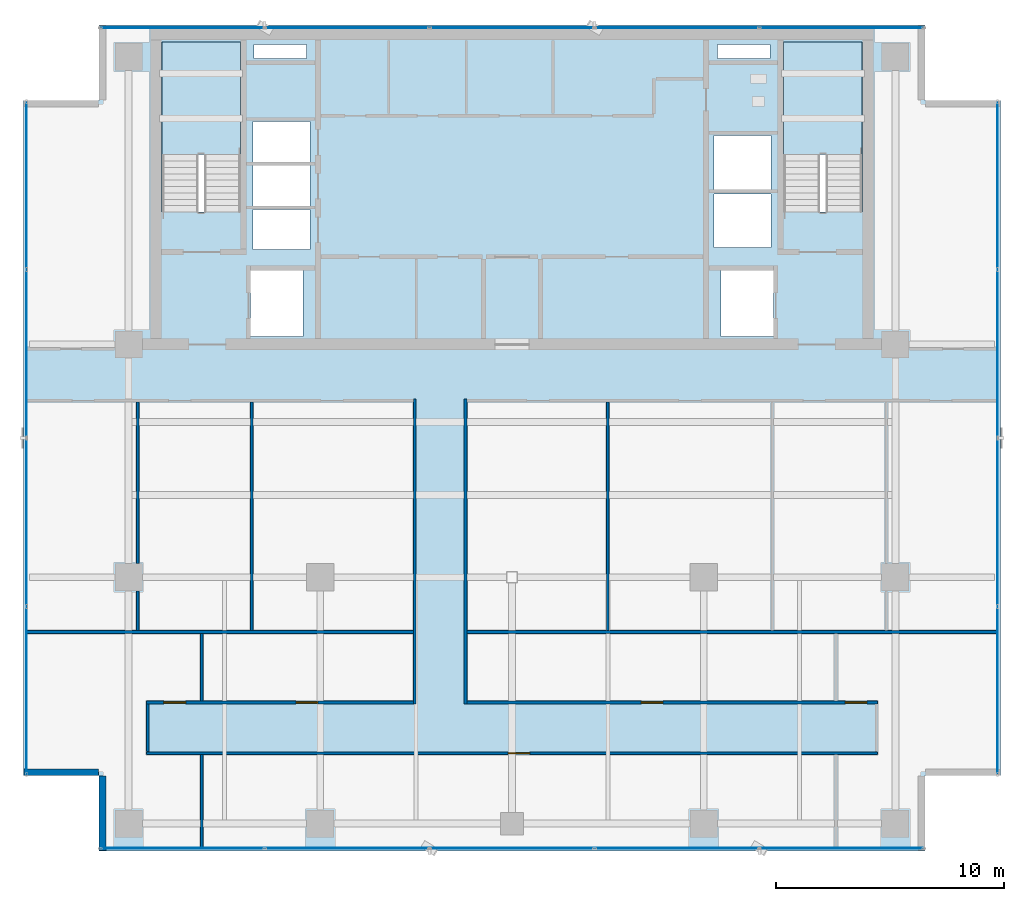
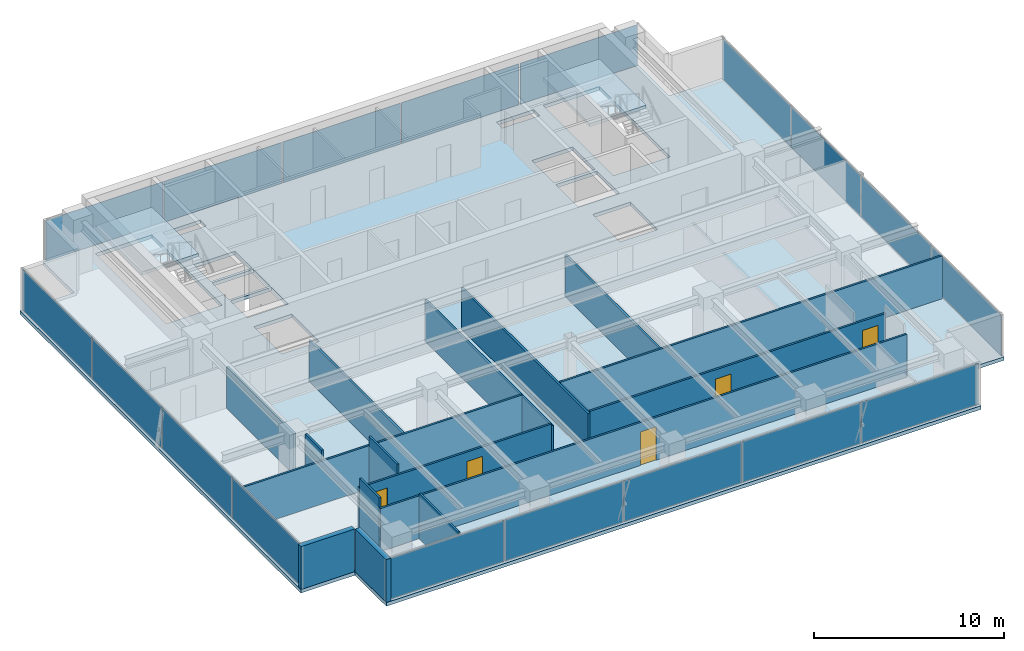
# One storey, part 15 of 23: 18 plates, 16 walls, 5 doors, 3 slabs, 5 openings, 6 elements without a shape of their own.
"""IFC4 building model written with IfcOpenShell, lengths in metres."""

from ifc_helpers import new_model, si_unit, direction, frame, frame_2d, origin, origin_2d, place, context, subcontext, project, spatial, polyline, rectangle, outline, extrude, source, transform, mapped, material, layer, layer_set, type_object, element, fill, aggregate, save


model = new_model("IFC4")

# Units and contexts
model_context = context("Model", 3, precision=1e-05, world=origin(), true_north=direction((0.0, 1.0)))
body_context = subcontext(model_context, "Body", "Model", "MODEL_VIEW")
ifc_project = project(units=[si_unit("LENGTHUNIT", "METRE"), si_unit("AREAUNIT", "SQUARE_METRE"), si_unit("VOLUMEUNIT", "CUBIC_METRE"), si_unit("PLANEANGLEUNIT", "RADIAN"), si_unit("MASSUNIT", "GRAM", prefix="KILO")], contexts=[model_context])

# Site, building, storey
site_placement = place(None, origin())
site = spatial("IfcSite", under=ifc_project, at=site_placement, CompositionType="ELEMENT")
building_placement = place(site_placement, origin())
building = spatial("IfcBuilding", under=site, at=building_placement, Name="Sumidabori Civic Tower", CompositionType="ELEMENT")
storey_placement = place(building_placement, frame((0.0, 0.0, 275.60009765625)))
storey = spatial("IfcBuildingStorey", under=building, at=storey_placement, Name="L72", CompositionType="ELEMENT", Elevation=275.60009765625)

# Stair, slab
ifc_material_1 = material(Name="Concrete C40/50", Category="concrete")
stair_type = type_object("IfcStairType", Name="ST-CORE-1600", PredefinedType="HALF_TURN_STAIR", material=ifc_material_1)
stair_1_placement = place(storey_placement, origin())
stair_1 = element("IfcStair", 1, at=stair_1_placement, inside=storey, type_object=stair_type, Name="L72 ST-1", PredefinedType="HALF_TURN_STAIR")
ifc_layer_1 = layer(ifc_material_1, 0.199951171875, Name="Concrete C40/50")
ifc_layer_set_1 = layer_set([ifc_layer_1], Name="Concrete C40/50")
slab_type_1 = type_object("IfcSlabType", Name="SL-LAND-200", PredefinedType="LANDING", material=ifc_layer_set_1)
slab_1_placement = place(storey_placement, frame((0.0, 0.0, 1.599853515625)))
slab_1 = element("IfcSlab", 2, at=slab_1_placement, type_object=slab_type_1, Name="ST-1 landing 1", PredefinedType="LANDING", context=body_context, shape_type="SweptSolid", body=[
    extrude(outline(polyline([(-11.89990234375, 18.52001953125), (-11.89990234375, 23.449951171875), (-15.340087890625, 23.449951171875), (-15.340087890625, 18.52001953125), (-11.89990234375, 18.52001953125)])), origin(), (0.0, 0.0, 1.0), 0.199951171875),
])
aggregate(stair_1, [slab_1])

stair_2_placement = place(storey_placement, origin())
stair_2 = element("IfcStair", 3, at=stair_2_placement, inside=storey, type_object=stair_type, Name="L72 ST-2", PredefinedType="HALF_TURN_STAIR")
slab_2_placement = place(storey_placement, frame((0.0, 0.0, 1.599853515625)))
slab_2 = element("IfcSlab", 4, at=slab_2_placement, type_object=slab_type_1, Name="ST-2 landing 1", PredefinedType="LANDING", context=body_context, shape_type="SweptSolid", body=[
    extrude(outline(polyline([(15.340087890625, 18.52001953125), (15.340087890625, 23.449951171875), (11.89990234375, 23.449951171875), (11.89990234375, 18.52001953125), (15.340087890625, 18.52001953125)])), origin(), (0.0, 0.0, 1.0), 0.199951171875),
])
aggregate(stair_2, [slab_2])

# Slab
ifc_layer_2 = layer(ifc_material_1, 0.22998046875, Name="Concrete C40/50")
ifc_layer_set_2 = layer_set([ifc_layer_2], Name="Concrete C40/50")
slab_type_2 = type_object("IfcSlabType", Name="SL-Z4-230", PredefinedType="FLOOR", material=ifc_layer_set_2)
slab_3_placement = place(storey_placement, frame((0.0, 0.0, -0.22998046875)))
element("IfcSlab", 5, at=slab_3_placement, inside=storey, type_object=slab_type_2, Name="Structural Slab L72", PredefinedType="FLOOR", context=body_context, shape_type="SweptSolid", body=[
    extrude(outline(polyline([(-18.10009765625, -12.0), (18.10009765625, -12.0), (18.10009765625, -8.699951171875), (21.39990234375, -8.699951171875), (21.39990234375, 20.89990234375), (18.10009765625, 20.89990234375), (18.10009765625, 24.199951171875), (-18.10009765625, 24.199951171875), (-18.10009765625, 20.89990234375), (-21.39990234375, 20.89990234375), (-21.39990234375, -8.699951171875), (-18.10009765625, -8.699951171875), (-18.10009765625, -12.0)]), holes=[polyline([(-11.89990234375, 16.0), (-11.89990234375, 23.449951171875), (-15.340087890625, 23.449951171875), (-15.340087890625, 16.0), (-11.89990234375, 16.0)]), polyline([(15.340087890625, 16.0), (15.340087890625, 23.449951171875), (11.89990234375, 23.449951171875), (11.89990234375, 16.0), (15.340087890625, 16.0)]), polyline([(-11.449951171875, 10.550048828125), (-9.14990234375, 10.550048828125), (-9.14990234375, 13.449951171875), (-11.449951171875, 13.449951171875), (-11.449951171875, 10.550048828125)]), polyline([(9.14990234375, 10.550048828125), (11.449951171875, 10.550048828125), (11.449951171875, 13.449951171875), (9.14990234375, 13.449951171875), (9.14990234375, 10.550048828125)]), polyline([(-11.35009765625, 14.35009765625), (-8.85009765625, 14.35009765625), (-8.85009765625, 16.1201171875), (-11.35009765625, 16.1201171875), (-11.35009765625, 14.35009765625)]), polyline([(-11.35009765625, 16.27001953125), (-8.85009765625, 16.27001953125), (-8.85009765625, 18.0400390625), (-11.35009765625, 18.0400390625), (-11.35009765625, 16.27001953125)]), polyline([(-11.35009765625, 18.18994140625), (-8.85009765625, 18.18994140625), (-8.85009765625, 19.9599609375), (-11.35009765625, 19.9599609375), (-11.35009765625, 18.18994140625)]), polyline([(8.85009765625, 14.449951171875), (11.35009765625, 14.449951171875), (11.35009765625, 16.800048828125), (8.85009765625, 16.800048828125), (8.85009765625, 14.449951171875)]), polyline([(8.85009765625, 17.0), (11.35009765625, 17.0), (11.35009765625, 19.35009765625), (8.85009765625, 19.35009765625), (8.85009765625, 17.0)]), polyline([(-11.300048828125, 22.719970703125), (-9.0, 22.719970703125), (-9.0, 23.35009765625), (-11.300048828125, 23.35009765625), (-11.300048828125, 22.719970703125)]), polyline([(9.0, 22.719970703125), (11.300048828125, 22.719970703125), (11.300048828125, 23.35009765625), (9.0, 23.35009765625), (9.0, 22.719970703125)])]), origin(), (0.0, 0.0, 1.0), 0.22998046875),
])

# Curtain wall, plates
ifc_material_2 = material(Name="Anodised Bronze Aluminium AW-6063-T6", Category="aluminium")
ifc_layer_3 = layer(ifc_material_2, 0.179931640625, Name="Anodised Bronze Aluminium AW-6063-T6")
ifc_layer_set_3 = layer_set([ifc_layer_3], Name="Anodised Bronze Aluminium AW-6063-T6")
curtain_wall_type = type_object("IfcCurtainWallType", Name="CW-SYS-6", PredefinedType="NOTDEFINED", material=ifc_layer_set_3)
curtain_wall_1_placement = place(storey_placement, origin())
curtain_wall_1 = element("IfcCurtainWall", 6, at=curtain_wall_1_placement, inside=storey, type_object=curtain_wall_type, Name="Curtain Wall CW:L72:R01", PredefinedType="NOTDEFINED")
ifc_material_3 = material(Name="Bronze-Tinted Laminated Crown Glazing", Category="glass")
ifc_layer_4 = layer(ifc_material_3, 0.033935546875, Name="Bronze-Tinted Laminated Crown Glazing")
ifc_layer_set_4 = layer_set([ifc_layer_4], Name="Bronze-Tinted Laminated Crown Glazing")
plate_type = type_object("IfcPlateType", Name="CW-PNL-CRN", PredefinedType="CURTAIN_PANEL", material=ifc_layer_set_4)
shared_shape_1 = source(origin(), body_context, "Body", "SweptSolid", [
    extrude(rectangle(XDim=7.123046875, YDim=0.033935546875, at=origin_2d()), origin(), (0.0, 0.0, 1.0), 2.6201171875),
])
plate_1_placement = place(storey_placement, frame((-14.4384765625, -11.8798828125, 0.06494140625), z_axis=(0.0, 0.0, 1.0), x_axis=(1.0, 0.0, 0.0)))
plate_1 = element("IfcPlate", 7, at=plate_1_placement, type_object=plate_type, Name="CW-6 panel 1.1", PredefinedType="CURTAIN_PANEL", context=body_context, shape_type="MappedRepresentation", body=[
    mapped(shared_shape_1, transform((0.0, 0.0, 0.0), x_axis=(1.0, 0.0, 0.0), y_axis=(0.0, 1.0, 0.0), z_axis=(0.0, 0.0, 1.0), scale=1.0)),
])
plate_2_placement = place(storey_placement, frame((14.4384765625, -11.8798828125, 0.06494140625), z_axis=(0.0, 0.0, 1.0), x_axis=(1.0, 0.0, 0.0)))
plate_2 = element("IfcPlate", 8, at=plate_2_placement, type_object=plate_type, Name="CW-6 panel 5.1", PredefinedType="CURTAIN_PANEL", context=body_context, shape_type="MappedRepresentation", body=[
    mapped(shared_shape_1, transform((0.0, 0.0, 0.0), x_axis=(1.0, 0.0, 0.0), y_axis=(0.0, 1.0, 0.0), z_axis=(0.0, 0.0, 1.0), scale=1.0)),
])

curtain_wall_2_placement = place(storey_placement, origin())
curtain_wall_2 = element("IfcCurtainWall", 9, at=curtain_wall_2_placement, inside=storey, type_object=curtain_wall_type, Name="Curtain Wall CW:L72:R07", PredefinedType="NOTDEFINED")
plate_3_placement = place(storey_placement, frame((14.4384765625, 24.080078125, 0.06494140625), z_axis=(0.0, 0.0, 1.0), x_axis=(-1.0, 0.0, 0.0)))
plate_3 = element("IfcPlate", 10, at=plate_3_placement, type_object=plate_type, Name="CW-6 panel 1.1", PredefinedType="CURTAIN_PANEL", context=body_context, shape_type="MappedRepresentation", body=[
    mapped(shared_shape_1, transform((0.0, 0.0, 0.0), x_axis=(1.0, 0.0, 0.0), y_axis=(0.0, 1.0, 0.0), z_axis=(0.0, 0.0, 1.0), scale=1.0)),
])
plate_4_placement = place(storey_placement, frame((-14.4384765625, 24.080078125, 0.06494140625), z_axis=(0.0, 0.0, 1.0), x_axis=(-1.0, 0.0, 0.0)))
plate_4 = element("IfcPlate", 11, at=plate_4_placement, type_object=plate_type, Name="CW-6 panel 5.1", PredefinedType="CURTAIN_PANEL", context=body_context, shape_type="MappedRepresentation", body=[
    mapped(shared_shape_1, transform((0.0, 0.0, 0.0), x_axis=(1.0, 0.0, 0.0), y_axis=(0.0, 1.0, 0.0), z_axis=(0.0, 0.0, 1.0), scale=1.0)),
])

# Plate
shared_shape_2 = source(origin(), body_context, "Body", "SweptSolid", [
    extrude(rectangle(XDim=7.157958984375, YDim=0.033935546875, at=origin_2d()), origin(), (0.0, 0.0, 1.0), 2.6201171875),
])
plate_5_placement = place(storey_placement, frame((-7.22802734375, -11.8798828125, 0.06494140625), z_axis=(0.0, 0.0, 1.0), x_axis=(1.0, 0.0, 0.0)))
plate_5 = element("IfcPlate", 12, at=plate_5_placement, type_object=plate_type, Name="CW-6 panel 2.1", PredefinedType="CURTAIN_PANEL", context=body_context, shape_type="MappedRepresentation", body=[
    mapped(shared_shape_2, transform((0.0, 0.0, 0.0), x_axis=(1.0, 0.0, 0.0), y_axis=(0.0, 1.0, 0.0), z_axis=(0.0, 0.0, 1.0), scale=1.0)),
])

plate_6_placement = place(storey_placement, frame((0.0, -11.8798828125, 0.06494140625), z_axis=(0.0, 0.0, 1.0), x_axis=(1.0, 0.0, 0.0)))
plate_6 = element("IfcPlate", 13, at=plate_6_placement, type_object=plate_type, Name="CW-6 panel 3.1", PredefinedType="CURTAIN_PANEL", context=body_context, shape_type="MappedRepresentation", body=[
    mapped(shared_shape_2, transform((0.0, 0.0, 0.0), x_axis=(1.0, 0.0, 0.0), y_axis=(0.0, 1.0, 0.0), z_axis=(0.0, 0.0, 1.0), scale=1.0)),
])

plate_7_placement = place(storey_placement, frame((7.22802734375, -11.8798828125, 0.06494140625), z_axis=(0.0, 0.0, 1.0), x_axis=(1.0, 0.0, 0.0)))
plate_7 = element("IfcPlate", 14, at=plate_7_placement, type_object=plate_type, Name="CW-6 panel 4.1", PredefinedType="CURTAIN_PANEL", context=body_context, shape_type="MappedRepresentation", body=[
    mapped(shared_shape_2, transform((0.0, 0.0, 0.0), x_axis=(1.0, 0.0, 0.0), y_axis=(0.0, 1.0, 0.0), z_axis=(0.0, 0.0, 1.0), scale=1.0)),
])

aggregate(curtain_wall_1, [plate_1, plate_5, plate_6, plate_7, plate_2])

plate_8_placement = place(storey_placement, frame((7.22802734375, 24.080078125, 0.06494140625), z_axis=(0.0, 0.0, 1.0), x_axis=(-1.0, 0.0, 0.0)))
plate_8 = element("IfcPlate", 15, at=plate_8_placement, type_object=plate_type, Name="CW-6 panel 2.1", PredefinedType="CURTAIN_PANEL", context=body_context, shape_type="MappedRepresentation", body=[
    mapped(shared_shape_2, transform((0.0, 0.0, 0.0), x_axis=(1.0, 0.0, 0.0), y_axis=(0.0, 1.0, 0.0), z_axis=(0.0, 0.0, 1.0), scale=1.0)),
])

plate_9_placement = place(storey_placement, frame((0.0, 24.080078125, 0.06494140625), z_axis=(0.0, 0.0, 1.0), x_axis=(-1.0, 0.0, 0.0)))
plate_9 = element("IfcPlate", 16, at=plate_9_placement, type_object=plate_type, Name="CW-6 panel 3.1", PredefinedType="CURTAIN_PANEL", context=body_context, shape_type="MappedRepresentation", body=[
    mapped(shared_shape_2, transform((0.0, 0.0, 0.0), x_axis=(1.0, 0.0, 0.0), y_axis=(0.0, 1.0, 0.0), z_axis=(0.0, 0.0, 1.0), scale=1.0)),
])

plate_10_placement = place(storey_placement, frame((-7.22802734375, 24.080078125, 0.06494140625), z_axis=(0.0, 0.0, 1.0), x_axis=(-1.0, 0.0, 0.0)))
plate_10 = element("IfcPlate", 17, at=plate_10_placement, type_object=plate_type, Name="CW-6 panel 4.1", PredefinedType="CURTAIN_PANEL", context=body_context, shape_type="MappedRepresentation", body=[
    mapped(shared_shape_2, transform((0.0, 0.0, 0.0), x_axis=(1.0, 0.0, 0.0), y_axis=(0.0, 1.0, 0.0), z_axis=(0.0, 0.0, 1.0), scale=1.0)),
])

aggregate(curtain_wall_2, [plate_3, plate_8, plate_9, plate_10, plate_4])

# Curtain wall, plates
curtain_wall_3_placement = place(storey_placement, origin())
curtain_wall_3 = element("IfcCurtainWall", 18, at=curtain_wall_3_placement, inside=storey, type_object=curtain_wall_type, Name="Curtain Wall CW:L72:R04", PredefinedType="NOTDEFINED")
shared_shape_3 = source(origin(), body_context, "Body", "SweptSolid", [
    extrude(rectangle(XDim=7.280029296875, YDim=0.033935546875, at=origin_2d()), origin(), (0.0, 0.0, 1.0), 2.6201171875),
])
plate_11_placement = place(storey_placement, frame((21.280029296875, -4.9599609375, 0.06494140625), z_axis=(0.0, 0.0, 1.0), x_axis=(0.0, 1.0, 0.0)))
plate_11 = element("IfcPlate", 19, at=plate_11_placement, type_object=plate_type, Name="CW-6 panel 1.1", PredefinedType="CURTAIN_PANEL", context=body_context, shape_type="MappedRepresentation", body=[
    mapped(shared_shape_3, transform((0.0, 0.0, 0.0), x_axis=(1.0, 0.0, 0.0), y_axis=(0.0, 1.0, 0.0), z_axis=(0.0, 0.0, 1.0), scale=1.0)),
])
plate_12_placement = place(storey_placement, frame((21.280029296875, 17.159912109375, 0.06494140625), z_axis=(0.0, 0.0, 1.0), x_axis=(0.0, 1.0, 0.0)))
plate_12 = element("IfcPlate", 20, at=plate_12_placement, type_object=plate_type, Name="CW-6 panel 4.1", PredefinedType="CURTAIN_PANEL", context=body_context, shape_type="MappedRepresentation", body=[
    mapped(shared_shape_3, transform((0.0, 0.0, 0.0), x_axis=(1.0, 0.0, 0.0), y_axis=(0.0, 1.0, 0.0), z_axis=(0.0, 0.0, 1.0), scale=1.0)),
])

curtain_wall_4_placement = place(storey_placement, origin())
curtain_wall_4 = element("IfcCurtainWall", 21, at=curtain_wall_4_placement, inside=storey, type_object=curtain_wall_type, Name="Curtain Wall CW:L72:R10", PredefinedType="NOTDEFINED")
plate_13_placement = place(storey_placement, frame((-21.280029296875, 17.159912109375, 0.06494140625), z_axis=(0.0, 0.0, 1.0), x_axis=(0.0, -1.0, 0.0)))
plate_13 = element("IfcPlate", 22, at=plate_13_placement, type_object=plate_type, Name="CW-6 panel 1.1", PredefinedType="CURTAIN_PANEL", context=body_context, shape_type="MappedRepresentation", body=[
    mapped(shared_shape_3, transform((0.0, 0.0, 0.0), x_axis=(1.0, 0.0, 0.0), y_axis=(0.0, 1.0, 0.0), z_axis=(0.0, 0.0, 1.0), scale=1.0)),
])
plate_14_placement = place(storey_placement, frame((-21.280029296875, -4.9599609375, 0.06494140625), z_axis=(0.0, 0.0, 1.0), x_axis=(0.0, -1.0, 0.0)))
plate_14 = element("IfcPlate", 23, at=plate_14_placement, type_object=plate_type, Name="CW-6 panel 4.1", PredefinedType="CURTAIN_PANEL", context=body_context, shape_type="MappedRepresentation", body=[
    mapped(shared_shape_3, transform((0.0, 0.0, 0.0), x_axis=(1.0, 0.0, 0.0), y_axis=(0.0, 1.0, 0.0), z_axis=(0.0, 0.0, 1.0), scale=1.0)),
])

# Plate
shared_shape_4 = source(origin(), body_context, "Body", "SweptSolid", [
    extrude(rectangle(XDim=7.31494140625, YDim=0.033935546875, at=origin_2d()), origin(), (0.0, 0.0, 1.0), 2.6201171875),
])
plate_15_placement = place(storey_placement, frame((21.280029296875, 2.407470703125, 0.06494140625), z_axis=(0.0, 0.0, 1.0), x_axis=(0.0, 1.0, 0.0)))
plate_15 = element("IfcPlate", 24, at=plate_15_placement, type_object=plate_type, Name="CW-6 panel 2.1", PredefinedType="CURTAIN_PANEL", context=body_context, shape_type="MappedRepresentation", body=[
    mapped(shared_shape_4, transform((0.0, 0.0, 0.0), x_axis=(1.0, 0.0, 0.0), y_axis=(0.0, 1.0, 0.0), z_axis=(0.0, 0.0, 1.0), scale=1.0)),
])

plate_16_placement = place(storey_placement, frame((21.280029296875, 9.79248046875, 0.06494140625), z_axis=(0.0, 0.0, 1.0), x_axis=(0.0, 1.0, 0.0)))
plate_16 = element("IfcPlate", 25, at=plate_16_placement, type_object=plate_type, Name="CW-6 panel 3.1", PredefinedType="CURTAIN_PANEL", context=body_context, shape_type="MappedRepresentation", body=[
    mapped(shared_shape_4, transform((0.0, 0.0, 0.0), x_axis=(1.0, 0.0, 0.0), y_axis=(0.0, 1.0, 0.0), z_axis=(0.0, 0.0, 1.0), scale=1.0)),
])

aggregate(curtain_wall_3, [plate_11, plate_15, plate_16, plate_12])

plate_17_placement = place(storey_placement, frame((-21.280029296875, 9.79248046875, 0.06494140625), z_axis=(0.0, 0.0, 1.0), x_axis=(0.0, -1.0, 0.0)))
plate_17 = element("IfcPlate", 26, at=plate_17_placement, type_object=plate_type, Name="CW-6 panel 2.1", PredefinedType="CURTAIN_PANEL", context=body_context, shape_type="MappedRepresentation", body=[
    mapped(shared_shape_4, transform((0.0, 0.0, 0.0), x_axis=(1.0, 0.0, 0.0), y_axis=(0.0, 1.0, 0.0), z_axis=(0.0, 0.0, 1.0), scale=1.0)),
])

plate_18_placement = place(storey_placement, frame((-21.280029296875, 2.407470703125, 0.06494140625), z_axis=(0.0, 0.0, 1.0), x_axis=(0.0, -1.0, 0.0)))
plate_18 = element("IfcPlate", 27, at=plate_18_placement, type_object=plate_type, Name="CW-6 panel 3.1", PredefinedType="CURTAIN_PANEL", context=body_context, shape_type="MappedRepresentation", body=[
    mapped(shared_shape_4, transform((0.0, 0.0, 0.0), x_axis=(1.0, 0.0, 0.0), y_axis=(0.0, 1.0, 0.0), z_axis=(0.0, 0.0, 1.0), scale=1.0)),
])

aggregate(curtain_wall_4, [plate_13, plate_17, plate_18, plate_14])

# Walls
ifc_material_4 = material(Name="Precast concrete C40/50", Category="concrete")
ifc_layer_5 = layer(ifc_material_4, 0.300048828125, Name="Precast concrete C40/50")
ifc_layer_set_5 = layer_set([ifc_layer_5], Name="Precast concrete C40/50")
wall_type_1 = type_object("IfcWallType", Name="WL-EXT-POD300", PredefinedType="STANDARD", material=ifc_layer_set_5)
shared_shape_5 = source(origin(), body_context, "Body", "SweptSolid", [
    extrude(rectangle(XDim=3.260009765625, YDim=0.300048828125, at=frame_2d((1.6298828125, 0.0))), origin(), (0.0, 0.0, 1.0), 2.75),
])
wall_1_placement = place(storey_placement, frame((-17.949951171875, -8.719970703125, 0.0), z_axis=(0.0, 0.0, 1.0), x_axis=(0.0, -1.0, 0.0)))
element("IfcWall", 28, at=wall_1_placement, inside=storey, type_object=wall_type_1, Name="Notched Corner Spandrel Band L72-12", PredefinedType="STANDARD", context=body_context, shape_type="MappedRepresentation", body=[
    mapped(shared_shape_5, transform((0.0, 0.0, 0.0), x_axis=(1.0, 0.0, 0.0), y_axis=(0.0, 1.0, 0.0), z_axis=(0.0, 0.0, 1.0), scale=1.0)),
])
shared_shape_6 = source(origin(), body_context, "Body", "SweptSolid", [
    extrude(rectangle(XDim=3.259765625, YDim=0.300048828125, at=frame_2d((1.6298828125, 0.0))), origin(), (0.0, 0.0, 1.0), 2.75),
])
wall_2_placement = place(storey_placement, frame((-21.3798828125, -8.550048828125, 0.0), z_axis=(0.0, 0.0, 1.0), x_axis=(1.0, 0.0, 0.0)))
element("IfcWall", 29, at=wall_2_placement, inside=storey, type_object=wall_type_1, Name="Notched Corner Spandrel Band L72-11", PredefinedType="STANDARD", context=body_context, shape_type="MappedRepresentation", body=[
    mapped(shared_shape_6, transform((0.0, 0.0, 0.0), x_axis=(1.0, 0.0, 0.0), y_axis=(0.0, 1.0, 0.0), z_axis=(0.0, 0.0, 1.0), scale=1.0)),
])

# Wall, openings, doors
ifc_material_5 = material(Name="Gypsum Plasterboard Acoustic Partition")
ifc_layer_6 = layer(ifc_material_5, 0.1201171875, Name="Gypsum Plasterboard Acoustic Partition")
ifc_layer_set_6 = layer_set([ifc_layer_6], Name="Gypsum Plasterboard Acoustic Partition")
wall_type_2 = type_object("IfcWallType", Name="WL-PART-120", PredefinedType="PARTITIONING", material=ifc_layer_set_6)
shared_shape_7 = source(origin(), body_context, "Body", "SweptSolid", [
    extrude(rectangle(XDim=11.699951171875, YDim=0.1201171875, at=frame_2d((5.85009765625, 0.0))), origin(), (0.0, 0.0, 1.0), 2.7548828125),
])
wall_3_placement = place(storey_placement, frame((-16.02001953125, -5.489990234375, 0.0), z_axis=(0.0, 0.0, 1.0), x_axis=(1.0, 0.0, 0.0)))
wall_3 = element("IfcWall", 30, at=wall_3_placement, inside=storey, type_object=wall_type_2, Name="Interior Partition WL:L72:CORR-MNW", PredefinedType="PARTITIONING", context=body_context, shape_type="MappedRepresentation", body=[
    mapped(shared_shape_7, transform((0.0, 0.0, 0.0), x_axis=(1.0, 0.0, 0.0), y_axis=(0.0, 1.0, 0.0), z_axis=(0.0, 0.0, 1.0), scale=1.0)),
])
opening_1_placement = place(wall_3_placement, frame((6.554931640625, 0.0, 0.0)))
opening_1 = element("IfcOpeningElement", 31, at=opening_1_placement, cuts=wall_3, Name="Opening DR-2", PredefinedType="OPENING", context=body_context, shape_type="SweptSolid", body=[
    extrude(rectangle(XDim=0.949951171875, YDim=2.14990234375, at=frame_2d((0.47509765625, 1.074951171875))), frame((0.0, 0.072021484375, 0.0), z_axis=(0.0, -1.0, 0.0), x_axis=(1.0, 0.0, 0.0)), (0.0, 0.0, 1.0), 0.14404296875),
])
opening_2_placement = place(wall_3_placement, frame((0.764892578125, 0.0, 0.0)))
opening_2 = element("IfcOpeningElement", 32, at=opening_2_placement, cuts=wall_3, Name="Opening DR-2", PredefinedType="OPENING", context=body_context, shape_type="SweptSolid", body=[
    extrude(rectangle(XDim=0.949951171875, YDim=2.14990234375, at=frame_2d((0.47509765625, 1.074951171875))), frame((0.0, 0.072021484375, 0.0), z_axis=(0.0, -1.0, 0.0), x_axis=(1.0, 0.0, 0.0)), (0.0, 0.0, 1.0), 0.14404296875),
])
ifc_material_6 = material(Name="Japanese Hinoki Timber", Category="wood")
door_type = type_object("IfcDoorType", Name="DR-INT-950", OperationType="NOTDEFINED", PredefinedType="DOOR", material=ifc_material_6)
shared_shape_8 = source(origin(), body_context, "Body", "SweptSolid", [
    extrude(rectangle(XDim=0.949951171875, YDim=2.14990234375, at=frame_2d((0.47509765625, 1.074951171875))), frame((0.0, 0.02490234375, 0.0), z_axis=(0.0, -1.0, 0.0), x_axis=(1.0, 0.0, 0.0)), (0.0, 0.0, 1.0), 0.050048828125),
])
door_1_placement = place(opening_1_placement, origin())
door_1 = element("IfcDoor", 33, at=door_1_placement, inside=storey, type_object=door_type, Name="Door DR:L72:D10", OperationType="SINGLE_SWING_RIGHT", OverallHeight=2.14990234375, OverallWidth=0.949951171875, PredefinedType="DOOR", context=body_context, shape_type="MappedRepresentation", body=[
    mapped(shared_shape_8, transform((0.0, 0.0, 0.0), x_axis=(1.0, 0.0, 0.0), y_axis=(0.0, 1.0, 0.0), z_axis=(0.0, 0.0, 1.0), scale=1.0)),
])
fill(opening_1, door_1)
door_2_placement = place(opening_2_placement, origin())
door_2 = element("IfcDoor", 34, at=door_2_placement, inside=storey, type_object=door_type, Name="Door DR:L72:D13", OperationType="SINGLE_SWING_LEFT", OverallHeight=2.14990234375, OverallWidth=0.949951171875, PredefinedType="DOOR", context=body_context, shape_type="MappedRepresentation", body=[
    mapped(shared_shape_8, transform((0.0, 0.0, 0.0), x_axis=(1.0, 0.0, 0.0), y_axis=(0.0, 1.0, 0.0), z_axis=(0.0, 0.0, 1.0), scale=1.0)),
])
fill(opening_2, door_2)

shared_shape_9 = source(origin(), body_context, "Body", "SweptSolid", [
    extrude(rectangle(XDim=18.0, YDim=0.1201171875, at=frame_2d((9.0, 0.0))), origin(), (0.0, 0.0, 1.0), 2.7548828125),
])
wall_4_placement = place(storey_placement, frame((-1.97998046875, -5.489990234375, 0.0), z_axis=(0.0, 0.0, 1.0), x_axis=(1.0, 0.0, 0.0)))
wall_4 = element("IfcWall", 35, at=wall_4_placement, inside=storey, type_object=wall_type_2, Name="Interior Partition WL:L72:CORR-MNE", PredefinedType="PARTITIONING", context=body_context, shape_type="MappedRepresentation", body=[
    mapped(shared_shape_9, transform((0.0, 0.0, 0.0), x_axis=(1.0, 0.0, 0.0), y_axis=(0.0, 1.0, 0.0), z_axis=(0.0, 0.0, 1.0), scale=1.0)),
])
opening_3_placement = place(wall_4_placement, frame((7.64501953125, 0.0, 0.0)))
opening_3 = element("IfcOpeningElement", 36, at=opening_3_placement, cuts=wall_4, Name="Opening DR-2", PredefinedType="OPENING", context=body_context, shape_type="SweptSolid", body=[
    extrude(rectangle(XDim=0.949951171875, YDim=2.14990234375, at=frame_2d((0.47509765625, 1.074951171875))), frame((0.0, 0.072021484375, 0.0), z_axis=(0.0, -1.0, 0.0), x_axis=(1.0, 0.0, 0.0)), (0.0, 0.0, 1.0), 0.14404296875),
])
opening_4_placement = place(wall_4_placement, frame((16.5849609375, 0.0, 0.0)))
opening_4 = element("IfcOpeningElement", 37, at=opening_4_placement, cuts=wall_4, Name="Opening DR-2", PredefinedType="OPENING", context=body_context, shape_type="SweptSolid", body=[
    extrude(rectangle(XDim=0.949951171875, YDim=2.14990234375, at=frame_2d((0.47509765625, 1.074951171875))), frame((0.0, 0.072021484375, 0.0), z_axis=(0.0, -1.0, 0.0), x_axis=(1.0, 0.0, 0.0)), (0.0, 0.0, 1.0), 0.14404296875),
])
door_3_placement = place(opening_3_placement, origin())
door_3 = element("IfcDoor", 38, at=door_3_placement, inside=storey, type_object=door_type, Name="Door DR:L72:D11", OperationType="SINGLE_SWING_LEFT", OverallHeight=2.14990234375, OverallWidth=0.949951171875, PredefinedType="DOOR", context=body_context, shape_type="MappedRepresentation", body=[
    mapped(shared_shape_8, transform((0.0, 0.0, 0.0), x_axis=(1.0, 0.0, 0.0), y_axis=(0.0, 1.0, 0.0), z_axis=(0.0, 0.0, 1.0), scale=1.0)),
])
fill(opening_3, door_3)
door_4_placement = place(opening_4_placement, origin())
door_4 = element("IfcDoor", 39, at=door_4_placement, inside=storey, type_object=door_type, Name="Door DR:L72:D12", OperationType="SINGLE_SWING_RIGHT", OverallHeight=2.14990234375, OverallWidth=0.949951171875, PredefinedType="DOOR", context=body_context, shape_type="MappedRepresentation", body=[
    mapped(shared_shape_8, transform((0.0, 0.0, 0.0), x_axis=(1.0, 0.0, 0.0), y_axis=(0.0, 1.0, 0.0), z_axis=(0.0, 0.0, 1.0), scale=1.0)),
])
fill(opening_4, door_4)

# Wall, opening, door
shared_shape_10 = source(origin(), body_context, "Body", "SweptSolid", [
    extrude(rectangle(XDim=32.0400390625, YDim=0.1201171875, at=frame_2d((16.02001953125, 0.0))), origin(), (0.0, 0.0, 1.0), 2.7548828125),
])
wall_5_placement = place(storey_placement, frame((-16.02001953125, -7.7099609375, 0.0), z_axis=(0.0, 0.0, 1.0), x_axis=(1.0, 0.0, 0.0)))
wall_5 = element("IfcWall", 40, at=wall_5_placement, inside=storey, type_object=wall_type_2, Name="Interior Partition WL:L72:CORR-SS", PredefinedType="PARTITIONING", context=body_context, shape_type="MappedRepresentation", body=[
    mapped(shared_shape_10, transform((0.0, 0.0, 0.0), x_axis=(1.0, 0.0, 0.0), y_axis=(0.0, 1.0, 0.0), z_axis=(0.0, 0.0, 1.0), scale=1.0)),
])
opening_5_placement = place(wall_5_placement, frame((15.844970703125, 0.0, 0.0)))
opening_5 = element("IfcOpeningElement", 41, at=opening_5_placement, cuts=wall_5, Name="Opening DR-2", PredefinedType="OPENING", context=body_context, shape_type="SweptSolid", body=[
    extrude(rectangle(XDim=0.949951171875, YDim=2.14990234375, at=frame_2d((0.47509765625, 1.074951171875))), frame((0.0, 0.072021484375, 0.0), z_axis=(0.0, -1.0, 0.0), x_axis=(1.0, 0.0, 0.0)), (0.0, 0.0, 1.0), 0.14404296875),
])
door_5_placement = place(opening_5_placement, origin())
door_5 = element("IfcDoor", 42, at=door_5_placement, inside=storey, type_object=door_type, Name="Door DR:L72:D14", OperationType="SINGLE_SWING_RIGHT", OverallHeight=2.14990234375, OverallWidth=0.949951171875, PredefinedType="DOOR", context=body_context, shape_type="MappedRepresentation", body=[
    mapped(shared_shape_8, transform((0.0, 0.0, 0.0), x_axis=(1.0, 0.0, 0.0), y_axis=(0.0, 1.0, 0.0), z_axis=(0.0, 0.0, 1.0), scale=1.0)),
])
fill(opening_5, door_5)

# Walls
shared_shape_11 = source(origin(), body_context, "Body", "SweptSolid", [
    extrude(rectangle(XDim=16.925048828125, YDim=0.1201171875, at=frame_2d((8.46240234375, 0.0))), origin(), (0.0, 0.0, 1.0), 2.7548828125),
])
wall_6_placement = place(storey_placement, frame((-21.25, -2.39990234375, 0.0), z_axis=(0.0, 0.0, 1.0), x_axis=(1.0, 0.0, 0.0)))
element("IfcWall", 43, at=wall_6_placement, inside=storey, type_object=wall_type_2, Name="Interior Partition WL:L72:BAND-Y-1", PredefinedType="PARTITIONING", context=body_context, shape_type="MappedRepresentation", body=[
    mapped(shared_shape_11, transform((0.0, 0.0, 0.0), x_axis=(1.0, 0.0, 0.0), y_axis=(0.0, 1.0, 0.0), z_axis=(0.0, 0.0, 1.0), scale=1.0)),
])
shared_shape_12 = source(origin(), body_context, "Body", "SweptSolid", [
    extrude(rectangle(XDim=23.22509765625, YDim=0.1201171875, at=frame_2d((11.612548828125, 0.0))), origin(), (0.0, 0.0, 1.0), 2.7548828125),
])
wall_7_placement = place(storey_placement, frame((-1.97509765625, -2.39990234375, 0.0), z_axis=(0.0, 0.0, 1.0), x_axis=(1.0, 0.0, 0.0)))
element("IfcWall", 44, at=wall_7_placement, inside=storey, type_object=wall_type_2, Name="Interior Partition WL:L72:BAND-Y-2", PredefinedType="PARTITIONING", context=body_context, shape_type="MappedRepresentation", body=[
    mapped(shared_shape_12, transform((0.0, 0.0, 0.0), x_axis=(1.0, 0.0, 0.0), y_axis=(0.0, 1.0, 0.0), z_axis=(0.0, 0.0, 1.0), scale=1.0)),
])
shared_shape_13 = source(origin(), body_context, "Body", "SweptSolid", [
    extrude(rectangle(XDim=13.35009765625, YDim=0.1201171875, at=frame_2d((6.675048828125, 0.0))), origin(), (0.0, 0.0, 1.0), 2.65478515625),
])
for number, where, z_axis, x_axis, name in (
    (45, (-4.260009765625, -5.550048828125, 0.0), (0.0, 0.0, 1.0), (0.0, 1.0, 0.0), "Interior Partition WL:L72:CORR-VC-W"),
    (46, (-2.0400390625, -5.550048828125, 0.0), (0.0, 0.0, 1.0), (0.0, 1.0, 0.0), "Interior Partition WL:L72:CORR-VC-E"),
):
    element("IfcWall", number, at=place(storey_placement, frame(where, z_axis=z_axis, x_axis=x_axis)), inside=storey, type_object=wall_type_2, Name=name, PredefinedType="PARTITIONING", context=body_context, shape_type="MappedRepresentation", body=[
        mapped(shared_shape_13, transform((0.0, 0.0, 0.0), x_axis=(1.0, 0.0, 0.0), y_axis=(0.0, 1.0, 0.0), z_axis=(0.0, 0.0, 1.0), scale=1.0)),
    ])
shared_shape_14 = source(origin(), body_context, "Body", "SweptSolid", [
    extrude(rectangle(XDim=2.090087890625, YDim=0.1201171875, at=frame_2d((1.044921875, 0.0))), origin(), (0.0, 0.0, 1.0), 3.369873046875),
])
wall_8_placement = place(storey_placement, frame((-15.9599609375, -7.64501953125, 0.0), z_axis=(0.0, 0.0, 1.0), x_axis=(0.0, 1.0, 0.0)))
element("IfcWall", 47, at=wall_8_placement, inside=storey, type_object=wall_type_2, Name="Interior Partition WL:L72:CORR-VSW", PredefinedType="PARTITIONING", context=body_context, shape_type="MappedRepresentation", body=[
    mapped(shared_shape_14, transform((0.0, 0.0, 0.0), x_axis=(1.0, 0.0, 0.0), y_axis=(0.0, 1.0, 0.0), z_axis=(0.0, 0.0, 1.0), scale=1.0)),
])
shared_shape_15 = source(origin(), body_context, "Body", "SweptSolid", [
    extrude(rectangle(XDim=1.724853515625, YDim=0.1201171875, at=frame_2d((0.8623046875, 0.0))), origin(), (0.0, 0.0, 1.0), 3.369873046875),
])
wall_9_placement = place(storey_placement, frame((-16.39990234375, -2.3349609375, 0.0), z_axis=(0.0, 0.0, 1.0), x_axis=(0.0, 1.0, 0.0)))
element("IfcWall", 48, at=wall_9_placement, inside=storey, type_object=wall_type_2, Name="Interior Partition WL:L72:VX-N1-1", PredefinedType="PARTITIONING", context=body_context, shape_type="MappedRepresentation", body=[
    mapped(shared_shape_15, transform((0.0, 0.0, 0.0), x_axis=(1.0, 0.0, 0.0), y_axis=(0.0, 1.0, 0.0), z_axis=(0.0, 0.0, 1.0), scale=1.0)),
])
shared_shape_16 = source(origin(), body_context, "Body", "SweptSolid", [
    extrude(rectangle(XDim=7.06494140625, YDim=0.1201171875, at=frame_2d((3.532470703125, 0.0))), origin(), (0.0, 0.0, 1.0), 2.65478515625),
])
wall_10_placement = place(storey_placement, frame((-16.39990234375, 0.610107421875, 0.0), z_axis=(0.0, 0.0, 1.0), x_axis=(0.0, 1.0, 0.0)))
element("IfcWall", 49, at=wall_10_placement, inside=storey, type_object=wall_type_2, Name="Interior Partition WL:L72:VX-N1-2", PredefinedType="PARTITIONING", context=body_context, shape_type="MappedRepresentation", body=[
    mapped(shared_shape_16, transform((0.0, 0.0, 0.0), x_axis=(1.0, 0.0, 0.0), y_axis=(0.0, 1.0, 0.0), z_axis=(0.0, 0.0, 1.0), scale=1.0)),
])
shared_shape_17 = source(origin(), body_context, "Body", "SweptSolid", [
    extrude(rectangle(XDim=10.010009765625, YDim=0.1201171875, at=frame_2d((5.0048828125, 0.0))), origin(), (0.0, 0.0, 1.0), 2.65478515625),
])
for number, where, z_axis, x_axis, name in (
    (50, (-11.39990234375, -2.3349609375, 0.0), (0.0, 0.0, 1.0), (0.0, 1.0, 0.0), "Interior Partition WL:L72:VX-N2"),
    (51, (4.199951171875, -2.3349609375, 0.0), (0.0, 0.0, 1.0), (0.0, 1.0, 0.0), "Interior Partition WL:L72:VX-N3"),
):
    element("IfcWall", number, at=place(storey_placement, frame(where, z_axis=z_axis, x_axis=x_axis)), inside=storey, type_object=wall_type_2, Name=name, PredefinedType="PARTITIONING", context=body_context, shape_type="MappedRepresentation", body=[
        mapped(shared_shape_17, transform((0.0, 0.0, 0.0), x_axis=(1.0, 0.0, 0.0), y_axis=(0.0, 1.0, 0.0), z_axis=(0.0, 0.0, 1.0), scale=1.0)),
    ])
shared_shape_18 = source(origin(), body_context, "Body", "SweptSolid", [
    extrude(rectangle(XDim=4.0751953125, YDim=0.1201171875, at=frame_2d((2.03759765625, 0.0))), origin(), (0.0, 0.0, 1.0), 2.90478515625),
])
wall_11_placement = place(storey_placement, frame((-13.60009765625, -11.85009765625, 0.0), z_axis=(0.0, 0.0, 1.0), x_axis=(0.0, 1.0, 0.0)))
element("IfcWall", 52, at=wall_11_placement, inside=storey, type_object=wall_type_2, Name="Interior Partition WL:L72:VX-S1-1", PredefinedType="PARTITIONING", context=body_context, shape_type="MappedRepresentation", body=[
    mapped(shared_shape_18, transform((0.0, 0.0, 0.0), x_axis=(1.0, 0.0, 0.0), y_axis=(0.0, 1.0, 0.0), z_axis=(0.0, 0.0, 1.0), scale=1.0)),
])
shared_shape_19 = source(origin(), body_context, "Body", "SweptSolid", [
    extrude(rectangle(XDim=2.9599609375, YDim=0.1201171875, at=frame_2d((1.47998046875, 0.0))), origin(), (0.0, 0.0, 1.0), 3.369873046875),
])
wall_12_placement = place(storey_placement, frame((-13.60009765625, -5.425048828125, 0.0), z_axis=(0.0, 0.0, 1.0), x_axis=(0.0, 1.0, 0.0)))
element("IfcWall", 53, at=wall_12_placement, inside=storey, type_object=wall_type_2, Name="Interior Partition WL:L72:VX-S1-2", PredefinedType="PARTITIONING", context=body_context, shape_type="MappedRepresentation", body=[
    mapped(shared_shape_19, transform((0.0, 0.0, 0.0), x_axis=(1.0, 0.0, 0.0), y_axis=(0.0, 1.0, 0.0), z_axis=(0.0, 0.0, 1.0), scale=1.0)),
])

save(model, "model.ifc")
